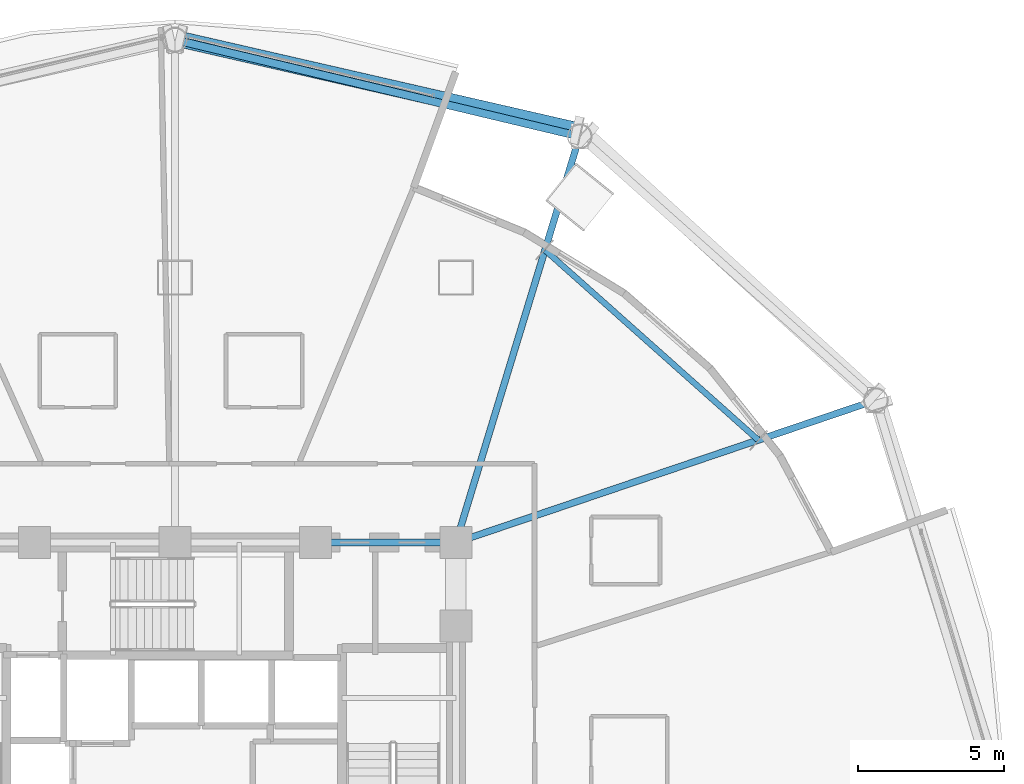
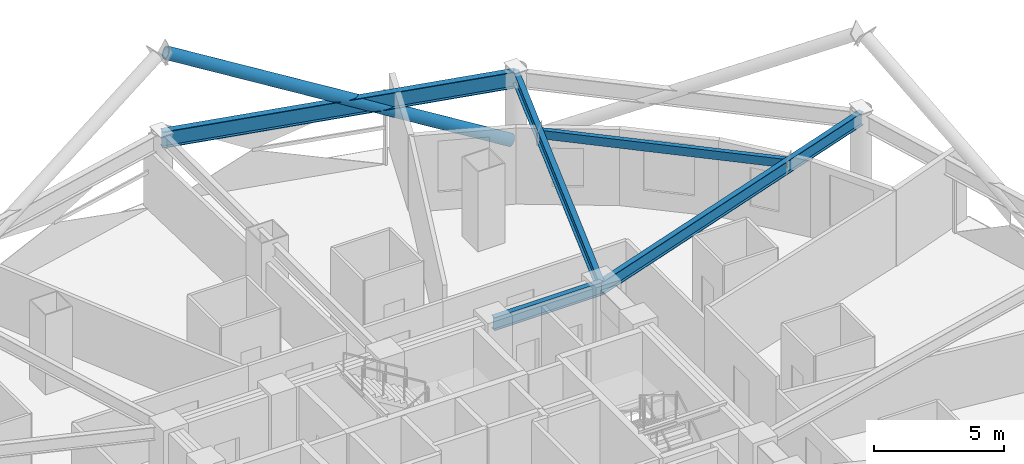
# One storey, part 18 of 33: 5 beams, 1 member.
"""IFC4 building model written with IfcOpenShell, lengths in metres."""

from ifc_helpers import new_model, si_unit, direction, frame, origin, origin_2d, place, context, subcontext, project, spatial, hollow_rectangle, hollow_circle, i_section, extrude, material, material_profile, profile_set, type_object, element, save


model = new_model("IFC4")

# Units and contexts
model_context = context("Model", 3, precision=1e-05, world=origin(), true_north=direction((0.0, 1.0)))
body_context = subcontext(model_context, "Body", "Model", "MODEL_VIEW")
ifc_project = project(units=[si_unit("LENGTHUNIT", "METRE"), si_unit("AREAUNIT", "SQUARE_METRE"), si_unit("VOLUMEUNIT", "CUBIC_METRE"), si_unit("PLANEANGLEUNIT", "RADIAN"), si_unit("MASSUNIT", "GRAM", prefix="KILO")], contexts=[model_context])

# Site, building, storey
site_placement = place(None, origin())
site = spatial("IfcSite", under=ifc_project, at=site_placement, CompositionType="ELEMENT")
building_placement = place(site_placement, origin())
building = spatial("IfcBuilding", under=site, at=building_placement, Name="Vantalir Tower", CompositionType="ELEMENT")
storey_placement = place(building_placement, frame((0.0, 0.0, 72.0)))
storey = spatial("IfcBuildingStorey", under=building, at=storey_placement, Name="L17", CompositionType="ELEMENT", Elevation=72.0)

# Beams
ifc_material_1 = material(Name="Steel S355", Category="steel")
ifc_material_profile_1 = material_profile(ifc_material_1, i_section(OverallWidth=0.22998046875, OverallDepth=0.616943359375, WebThickness=0.01318359375, FlangeThickness=0.022216796875, at=origin_2d()), Name="Steel S355")
ifc_profile_set_1 = profile_set([ifc_material_profile_1], Name="Steel S355")
beam_type_1 = type_object("IfcBeamType", Name="BM-RB-610x229", PredefinedType="BEAM", material=ifc_profile_set_1)
beam_1_placement = place(storey_placement, frame((41.10009765625, 32.449951171875, 3.261962890625), z_axis=(-1.0, 0.0, 0.0), x_axis=(0.0, -1.0, 0.0)))
element("IfcBeam", 1, at=beam_1_placement, inside=storey, type_object=beam_type_1, Name="L17 Core Coupling Girder 08", PredefinedType="BEAM", context=body_context, shape_type="SweptSolid", body=[
    extrude(i_section(OverallWidth=0.22998046875, OverallDepth=0.616943359375, WebThickness=0.01318359375, FlangeThickness=0.022216796875, at=origin_2d()), origin(), (0.0, 0.0, 1.0), 4.800048828125),
])
beam_2_placement = place(storey_placement, frame((55.446044921875, 37.31396484375, 3.261962890625), z_axis=(-0.947046193485, -0.321097348799, 0.0), x_axis=(0.321097348799, -0.947046193485, 0.0)))
element("IfcBeam", 2, at=beam_2_placement, inside=storey, type_object=beam_type_1, Name="L17 Radial Floor Beam 02", PredefinedType="BEAM", context=body_context, shape_type="SweptSolid", body=[
    extrude(i_section(OverallWidth=0.22998046875, OverallDepth=0.616943359375, WebThickness=0.01318359375, FlangeThickness=0.022216796875, at=origin_2d()), origin(), (0.0, 0.0, 1.0), 15.148193359375),
])
beam_3_placement = place(storey_placement, frame((45.324951171875, 46.3291015625, 3.261962890625), z_axis=(-0.29120982872, -0.956659205599, 0.0), x_axis=(0.956659205599, -0.29120982872, 0.0)))
element("IfcBeam", 3, at=beam_3_placement, inside=storey, type_object=beam_type_1, Name="L17 Radial Floor Beam 03", PredefinedType="BEAM", context=body_context, shape_type="SweptSolid", body=[
    extrude(i_section(OverallWidth=0.22998046875, OverallDepth=0.616943359375, WebThickness=0.01318359375, FlangeThickness=0.022216796875, at=origin_2d()), origin(), (0.0, 0.0, 1.0), 14.508056640625),
])
ifc_material_2 = material(Name="Steel S460", Category="steel")
ifc_material_profile_2 = material_profile(ifc_material_2, i_section(OverallWidth=0.26806640625, OverallDepth=0.77001953125, WebThickness=0.015625, FlangeThickness=0.025390625, at=origin_2d()), Name="Steel S460")
ifc_profile_set_2 = profile_set([ifc_material_profile_2], Name="Steel S460")
beam_type_2 = type_object("IfcBeamType", Name="BM-RG-762x267", PredefinedType="USERDEFINED", material=ifc_profile_set_2)
beam_4_placement = place(storey_placement, frame((45.324951171875, 46.3291015625, 3.18505859375), z_axis=(-0.972676867925, 0.232163112064, 0.0), x_axis=(-0.232163112064, -0.972676867925, 0.0)))
element("IfcBeam", 4, at=beam_4_placement, inside=storey, type_object=beam_type_2, Name="L17 Circumferential Ring Girder 03", ObjectType="GIRDER", PredefinedType="USERDEFINED", context=body_context, shape_type="SweptSolid", body=[
    extrude(i_section(OverallWidth=0.26806640625, OverallDepth=0.77001953125, WebThickness=0.015625, FlangeThickness=0.025390625, at=origin_2d()), origin(), (0.0, 0.0, 1.0), 14.21337890625),
])
ifc_material_profile_3 = material_profile(ifc_material_1, hollow_rectangle(XDim=0.199951171875, YDim=0.39990234375, WallThickness=0.01611328125, at=origin_2d()), Name="Steel S355")
ifc_profile_set_3 = profile_set([ifc_material_profile_3], Name="Steel S355")
beam_type_3 = type_object("IfcBeamType", Name="BM-SP-400x200", PredefinedType="LINTEL", material=ifc_profile_set_3)
beam_5_placement = place(storey_placement, frame((51.428955078125, 35.951904296875, 3.3701171875), z_axis=(-0.74669666748, 0.665164706501, 0.0), x_axis=(-0.665164706501, -0.74669666748, 0.0)))
element("IfcBeam", 5, at=beam_5_placement, inside=storey, type_object=beam_type_3, Name="L17 SG1 Recessed Edge Lintel 1", PredefinedType="LINTEL", context=body_context, shape_type="SweptSolid", body=[
    extrude(hollow_rectangle(XDim=0.199951171875, YDim=0.39990234375, WallThickness=0.01611328125, at=origin_2d()), origin(), (0.0, 0.0, 1.0), 9.7587890625),
])

# Member
ifc_material_profile_4 = material_profile(ifc_material_2, hollow_circle(Radius=0.27001953125, WallThickness=0.044921875, at=origin_2d()), Name="Steel S460")
ifc_profile_set_4 = profile_set([ifc_material_profile_4], Name="Steel S460")
member_type = type_object("IfcMemberType", Name="MEM-DB-540x45", PredefinedType="BRACE", material=ifc_profile_set_4)
member_placement = place(storey_placement, frame((45.22802734375, 46.5380859375, 0.178955078125), z_axis=(-0.871347449948, 0.19974796351, 0.448167795076), x_axis=(-0.223444359714, -0.974716686074, 0.0)))
element("IfcMember", 6, at=member_placement, inside=storey, type_object=member_type, Name="L17 Perimeter S460 Diagrid Brace R07L", PredefinedType="BRACE", context=body_context, shape_type="SweptSolid", body=[
    extrude(hollow_circle(Radius=0.27001953125, WallThickness=0.044921875, at=origin_2d()), origin(), (0.0, 0.0, 1.0), 15.53466796875),
])

save(model, "model.ifc")
